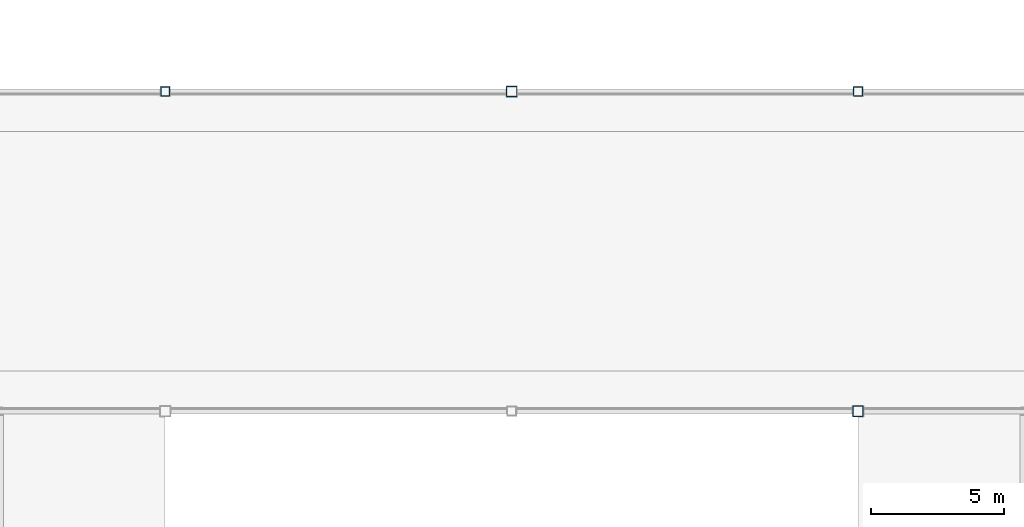
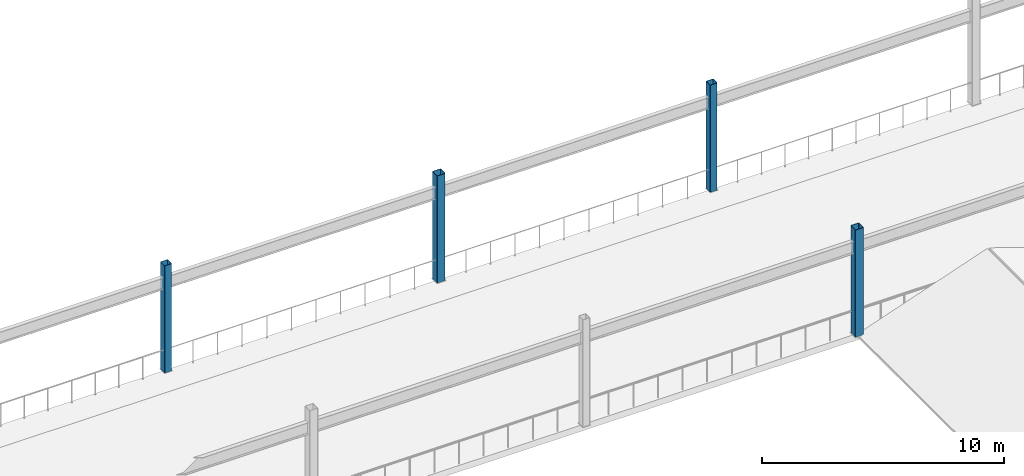
# One storey, part 6 of 105: 4 columns.
"""IFC4 building model written with IfcOpenShell, lengths in metres."""

from ifc_helpers import new_model, si_unit, direction, frame, origin, origin_2d, place, context, subcontext, project, spatial, hollow_rectangle, extrude, material, material_profile, profile_set, type_object, element, save


model = new_model("IFC4")

# Units and contexts
model_context = context("Model", 3, precision=1e-05, world=origin(), true_north=direction((0.0, 1.0)))
body_context = subcontext(model_context, "Body", "Model", "MODEL_VIEW")
ifc_project = project(units=[si_unit("LENGTHUNIT", "METRE"), si_unit("AREAUNIT", "SQUARE_METRE"), si_unit("VOLUMEUNIT", "CUBIC_METRE"), si_unit("PLANEANGLEUNIT", "RADIAN"), si_unit("MASSUNIT", "GRAM", prefix="KILO")], contexts=[model_context])

# Site, building, storey
site_placement = place(None, origin())
site = spatial("IfcSite", under=ifc_project, at=site_placement, CompositionType="ELEMENT")
building_placement = place(site_placement, origin())
building = spatial("IfcBuilding", under=site, at=building_placement, Name="Kazenohara Klinker Stadium", CompositionType="ELEMENT")
storey_placement = place(building_placement, frame((0.0, 0.0, 20.39990234375)))
storey = spatial("IfcBuildingStorey", under=building, at=storey_placement, Name="L04", CompositionType="ELEMENT", Elevation=20.39990234375)

# Columns
ifc_material = material(Name="Steel S355", Category="steel")
ifc_material_profile_1 = material_profile(ifc_material, hollow_rectangle(XDim=0.39990234375, YDim=0.39990234375, WallThickness=0.01611328125, InnerFilletRadius=0.01611328125, OuterFilletRadius=0.031982421875, at=origin_2d()), Name="SHS-400x400x16")
ifc_profile_set_1 = profile_set([ifc_material_profile_1], Name="Steel S355")
column_type_1 = type_object("IfcColumnType", Name="COL-ST01", PredefinedType="COLUMN", material=ifc_profile_set_1)
for number, where, z_axis, x_axis, name in (
    (1, (112.0, 36.0, 0.0), (0.0, 0.0, 1.0), (1.0, 0.0, 0.0), "Canopy ring support column SC01 L04 10/D"),
    (2, (125.0, 24.0, 0.0), (0.0, 0.0, 1.0), (1.0, 0.0, 0.0), "Canopy ring support column SC01 L04 11/C"),
):
    element("IfcColumn", number, at=place(storey_placement, frame(where, z_axis=z_axis, x_axis=x_axis)), inside=storey, type_object=column_type_1, Name=name, PredefinedType="COLUMN", context=body_context, shape_type="SweptSolid", body=[
        extrude(hollow_rectangle(XDim=0.39990234375, YDim=0.39990234375, WallThickness=0.01611328125, InnerFilletRadius=0.01611328125, OuterFilletRadius=0.031982421875, at=origin_2d()), origin(), (0.0, 0.0, 1.0), 5.400146484375),
    ])
ifc_material_profile_2 = material_profile(ifc_material, hollow_rectangle(XDim=0.35009765625, YDim=0.35009765625, WallThickness=0.01611328125, InnerFilletRadius=0.01611328125, OuterFilletRadius=0.031982421875, at=origin_2d()), Name="SHS-350x350x16")
ifc_profile_set_2 = profile_set([ifc_material_profile_2], Name="Steel S355")
column_type_2 = type_object("IfcColumnType", Name="COL-ST02", PredefinedType="COLUMN", material=ifc_profile_set_2)
for number, where, z_axis, x_axis, name in (
    (3, (99.0, 36.0, 0.0), (0.0, 0.0, 1.0), (1.0, 0.0, 0.0), "Canopy ring support column SC02 L04 9/D"),
    (4, (125.0, 36.0, 0.0), (0.0, 0.0, 1.0), (1.0, 0.0, 0.0), "Canopy ring support column SC02 L04 11/D"),
):
    element("IfcColumn", number, at=place(storey_placement, frame(where, z_axis=z_axis, x_axis=x_axis)), inside=storey, type_object=column_type_2, Name=name, PredefinedType="COLUMN", context=body_context, shape_type="SweptSolid", body=[
        extrude(hollow_rectangle(XDim=0.35009765625, YDim=0.35009765625, WallThickness=0.01611328125, InnerFilletRadius=0.01611328125, OuterFilletRadius=0.031982421875, at=origin_2d()), origin(), (0.0, 0.0, 1.0), 5.400146484375),
    ])

save(model, "model.ifc")
